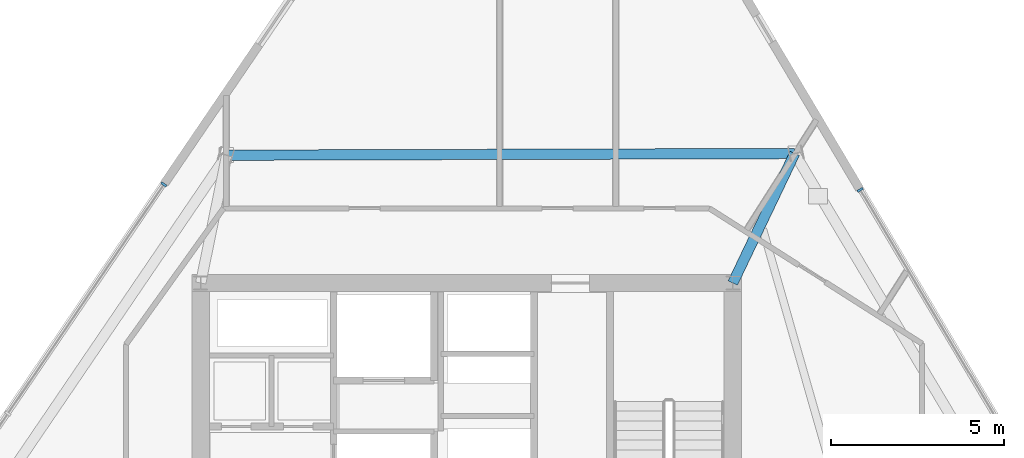
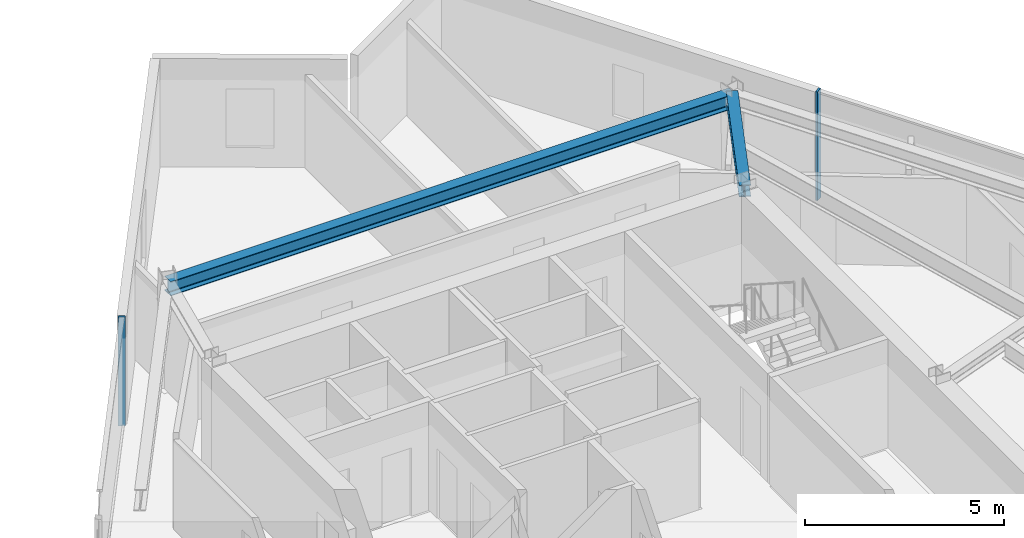
# One storey, part 6 of 15: 2 beams, 2 members, 2 elements without a shape of their own.
"""IFC4 building model written with IfcOpenShell, lengths in metres."""

from ifc_helpers import new_model, si_unit, direction, frame, origin, origin_2d, place, context, subcontext, project, spatial, rectangle, i_section, extrude, material, material_profile, profile_set, type_object, element, aggregate, save


model = new_model("IFC4")

# Units and contexts
model_context = context("Model", 3, precision=1e-05, world=origin(), true_north=direction((0.0, 1.0)))
body_context = subcontext(model_context, "Body", "Model", "MODEL_VIEW")
ifc_project = project(units=[si_unit("LENGTHUNIT", "METRE"), si_unit("AREAUNIT", "SQUARE_METRE"), si_unit("VOLUMEUNIT", "CUBIC_METRE"), si_unit("PLANEANGLEUNIT", "RADIAN"), si_unit("MASSUNIT", "GRAM", prefix="KILO")], contexts=[model_context])

# Site, building, storey
site_placement = place(None, origin())
site = spatial("IfcSite", under=ifc_project, at=site_placement, CompositionType="ELEMENT")
building_placement = place(site_placement, origin())
building = spatial("IfcBuilding", under=site, at=building_placement, Name="Savorim Split Tower", CompositionType="ELEMENT")
storey_placement = place(building_placement, frame((0.0, 0.0, 145.800048828125)))
storey = spatial("IfcBuildingStorey", under=building, at=storey_placement, Name="L38", CompositionType="ELEMENT", Elevation=145.800048828125)

# Beams
ifc_material_1 = material(Name="Steel S355", Category="steel")
ifc_material_profile_1 = material_profile(ifc_material_1, i_section(OverallWidth=0.300048828125, OverallDepth=0.360107421875, WebThickness=0.012451171875, FlangeThickness=0.0224609375, FilletRadius=0.027099609375, at=origin_2d()), Name="HEB 360")
ifc_profile_set_1 = profile_set([ifc_material_profile_1], Name="Steel S355")
beam_type_1 = type_object("IfcBeamType", Name="BM-PRI-HEB360", PredefinedType="BEAM", material=ifc_profile_set_1)
beam_1_placement = place(storey_placement, frame((9.490478515625, 13.9482421875, 3.169921875), z_axis=(-0.431037442954, -0.902334041678, 0.0), x_axis=(0.902334041678, -0.431037442954, 0.0)))
element("IfcBeam", 1, at=beam_1_placement, inside=storey, type_object=beam_type_1, Name="L38 Primary Floor Girder RG-07", PredefinedType="BEAM", context=body_context, shape_type="SweptSolid", body=[
    extrude(i_section(OverallWidth=0.300048828125, OverallDepth=0.360107421875, WebThickness=0.012451171875, FlangeThickness=0.0224609375, FilletRadius=0.027099609375, at=origin_2d()), origin(), (0.0, 0.0, 1.0), 4.154052734375),
])
ifc_material_profile_2 = material_profile(ifc_material_1, i_section(OverallWidth=0.300048828125, OverallDepth=0.43994140625, WebThickness=0.011474609375, FlangeThickness=0.02099609375, FilletRadius=0.027099609375, at=origin_2d()), Name="HEA 450")
ifc_profile_set_2 = profile_set([ifc_material_profile_2], Name="Steel S355")
beam_type_2 = type_object("IfcBeamType", Name="BM-SPN-HEA450", PredefinedType="SPANDREL", material=ifc_profile_set_2)
beam_2_placement = place(storey_placement, frame((9.490478515625, 13.9482421875, 3.1298828125), z_axis=(-0.999995587605, -0.002970651578, 0.0), x_axis=(0.002970651578, -0.999995587605, 0.0)))
element("IfcBeam", 2, at=beam_2_placement, inside=storey, type_object=beam_type_2, Name="L38 Perimeter Spandrel Beam 7", PredefinedType="SPANDREL", context=body_context, shape_type="SweptSolid", body=[
    extrude(i_section(OverallWidth=0.300048828125, OverallDepth=0.43994140625, WebThickness=0.011474609375, FlangeThickness=0.02099609375, FilletRadius=0.027099609375, at=origin_2d()), origin(), (0.0, 0.0, 1.0), 16.436767578125),
])

# Curtain wall, member
ifc_material_2 = material(Name="Dark Ceramic-Fritted Insulated Glass", Category="glass")
curtain_wall_type = type_object("IfcCurtainWallType", Name="CW-TWR-FRIT-A", PredefinedType="NOTDEFINED", material=ifc_material_2)
curtain_wall_1_placement = place(storey_placement, origin())
curtain_wall_1 = element("IfcCurtainWall", 3, at=curtain_wall_1_placement, inside=storey, type_object=curtain_wall_type, Name="L38 Curtain Wall CW-L38-EAST", PredefinedType="NOTDEFINED")
ifc_material_3 = material(Name="Charcoal Anodised Aluminium", Category="aluminium")
ifc_material_profile_3 = material_profile(ifc_material_3, rectangle(XDim=0.179931640625, YDim=0.06494140625, at=origin_2d()), Name="ALU-M 180x65")
ifc_profile_set_3 = profile_set([ifc_material_profile_3], Name="Charcoal Anodised Aluminium")
member_type = type_object("IfcMemberType", Name="CWM-180x65", PredefinedType="MULLION", material=ifc_profile_set_3)
member_1_placement = place(storey_placement, frame((11.386962890625, 12.898193359375, 0.0), z_axis=(0.0, 0.0, 1.0), x_axis=(-0.859526328423, -0.511091470039, 0.0)))
member_1 = element("IfcMember", 4, at=member_1_placement, type_object=member_type, Name="CW-02 mullion 5", PredefinedType="MULLION", context=body_context, shape_type="SweptSolid", body=[
    extrude(rectangle(XDim=0.179931640625, YDim=0.06494140625, at=origin_2d()), origin(), (0.0, 0.0, 1.0), 3.349853515625),
])
aggregate(curtain_wall_1, [member_1])

curtain_wall_2_placement = place(storey_placement, origin())
curtain_wall_2 = element("IfcCurtainWall", 5, at=curtain_wall_2_placement, inside=storey, type_object=curtain_wall_type, Name="L38 Curtain Wall CW-L38-WEST", PredefinedType="NOTDEFINED")
member_2_placement = place(storey_placement, frame((-8.768798828125, 13.053955078125, 0.0), z_axis=(0.0, 0.0, 1.0), x_axis=(0.826820104662, -0.562466456356, 0.0)))
member_2 = element("IfcMember", 6, at=member_2_placement, type_object=member_type, Name="CW-02 mullion 1", PredefinedType="MULLION", context=body_context, shape_type="SweptSolid", body=[
    extrude(rectangle(XDim=0.179931640625, YDim=0.06494140625, at=origin_2d()), origin(), (0.0, 0.0, 1.0), 3.349853515625),
])
aggregate(curtain_wall_2, [member_2])

save(model, "model.ifc")
